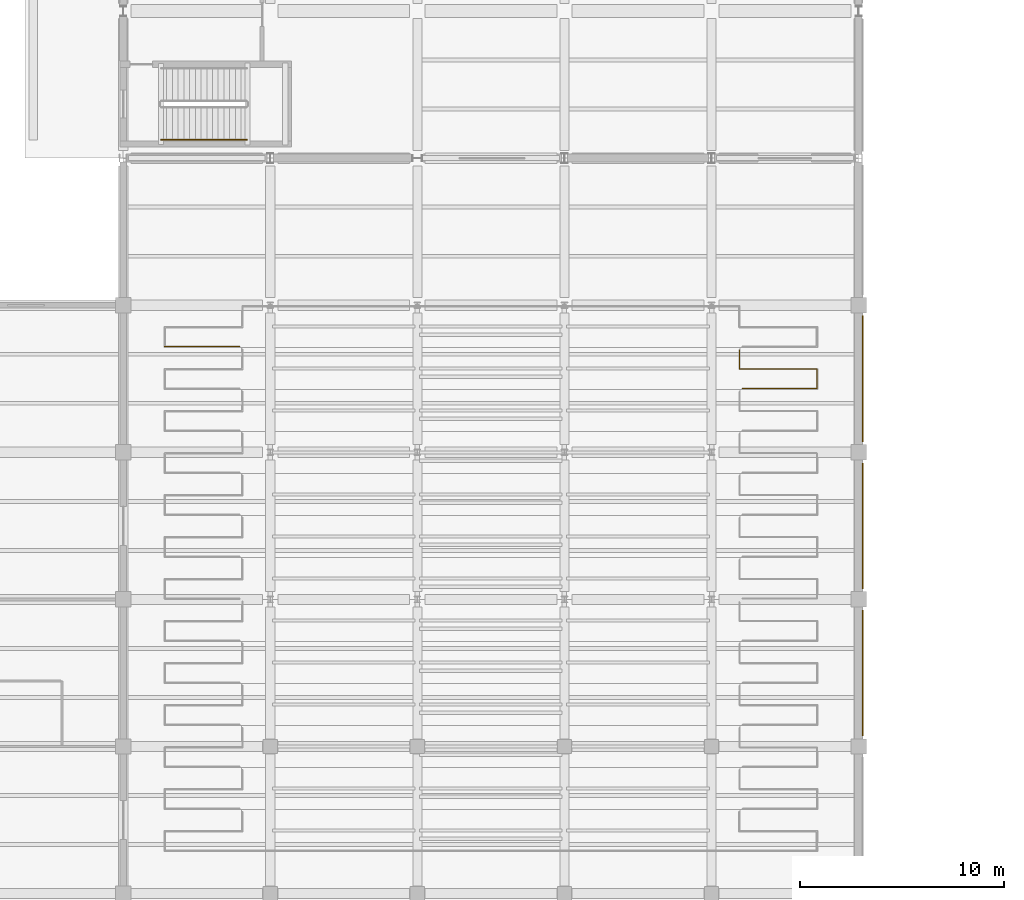
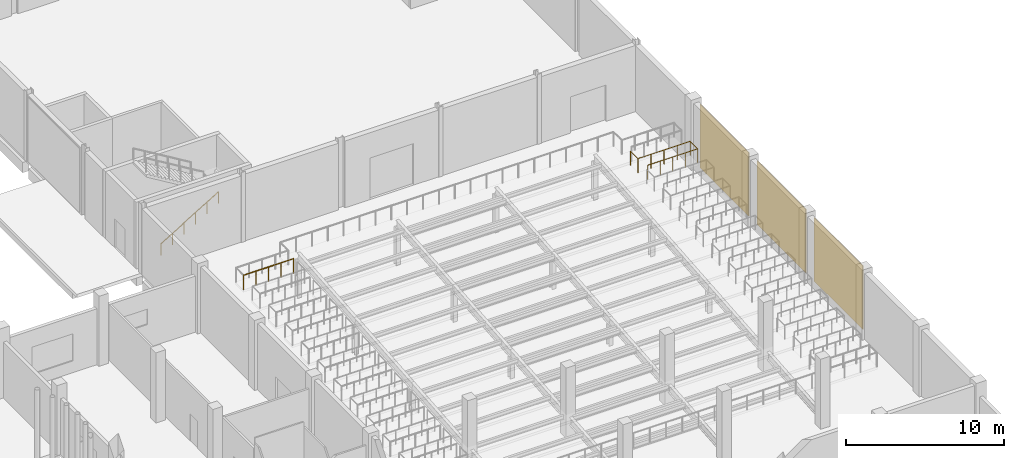
# One storey, part 40 of 46: 3 coverings, 3 railings.
"""IFC4 building model written with IfcOpenShell, lengths in metres."""

from ifc_helpers import new_model, si_unit, direction, frame, origin, origin_2d, place, context, subcontext, project, spatial, rectangle, circle, extrude, material, layer, layer_set, type_object, element, save


model = new_model("IFC4")

# Units and contexts
model_context = context("Model", 3, precision=1e-05, world=origin(), true_north=direction((0.0, 1.0)))
body_context = subcontext(model_context, "Body", "Model", "MODEL_VIEW")
ifc_project = project(units=[si_unit("LENGTHUNIT", "METRE"), si_unit("AREAUNIT", "SQUARE_METRE"), si_unit("VOLUMEUNIT", "CUBIC_METRE"), si_unit("PLANEANGLEUNIT", "RADIAN"), si_unit("MASSUNIT", "GRAM", prefix="KILO"), si_unit("THERMODYNAMICTEMPERATUREUNIT", "KELVIN"), si_unit("POWERUNIT", "WATT")], contexts=[model_context])

# Site, building, storey
site_placement = place(None, origin())
site = spatial("IfcSite", under=ifc_project, at=site_placement, CompositionType="ELEMENT")
building_placement = place(site_placement, origin())
building = spatial("IfcBuilding", under=site, at=building_placement, Name="Kaldorven Railside Theatre", CompositionType="ELEMENT")
storey_placement = place(building_placement, origin())
storey = spatial("IfcBuildingStorey", under=building, at=storey_placement, Name="L00", CompositionType="ELEMENT", Elevation=0.0)

# Coverings
ifc_material_1 = material(Name="Bush-hammered precast concrete C40/50", Category="concrete")
ifc_layer = layer(ifc_material_1, 0.050048828125, Name="Bush-hammered precast concrete C40/50")
ifc_layer_set = layer_set([ifc_layer], Name="Bush-hammered precast concrete C40/50")
covering_type = type_object("IfcCoveringType", Name="COV-CLD-01", PredefinedType="CLADDING", material=ifc_layer_set)
for number, where, z_axis, x_axis, name in (
    (1, (123.410888671875, 73.199951171875, 0.10009765625), (0.0, 0.0, 1.0), (0.0, -1.0, 0.0), "Bush-Hammered Laterite Rainscreen Panel CLD-002"),
    (2, (123.410888671875, 66.0, 0.10009765625), (0.0, 0.0, 1.0), (0.0, -1.0, 0.0), "Bush-Hammered Laterite Rainscreen Panel CLD-003"),
    (3, (123.410888671875, 58.800048828125, 0.10009765625), (0.0, 0.0, 1.0), (0.0, -1.0, 0.0), "Bush-Hammered Laterite Rainscreen Panel CLD-004"),
):
    element("IfcCovering", number, at=place(storey_placement, frame(where, z_axis=z_axis, x_axis=x_axis)), inside=storey, type_object=covering_type, Name=name, PredefinedType="CLADDING", context=body_context, shape_type="SweptSolid", body=[
        extrude(rectangle(XDim=6.14990234375, YDim=0.050048828125, at=origin_2d()), origin(), (0.0, 0.0, 1.0), 4.89990234375),
    ])

# Railings
ifc_material_2 = material(Name="Anodised bronze aluminium", Category="aluminium")
railing_type_1 = type_object("IfcRailingType", Name="RLG-BAL-1100", PredefinedType="BALUSTRADE", material=ifc_material_2)
railing_1_placement = place(storey_placement, frame((117.360107421875, 74.62109375, 3.409912109375)))
element("IfcRailing", 4, at=railing_1_placement, inside=storey, type_object=railing_type_1, Name="L00 Auditorium Tier Safety Guard GR-034", PredefinedType="BALUSTRADE", context=body_context, shape_type="SweptSolid", body=[
    extrude(circle(Radius=0.02392578125, at=origin_2d()), frame((0.0, 0.0, 1.09619140625), z_axis=(0.0, -1.0, 0.0), x_axis=(1.0, 0.0, 0.0)), (0.0, 0.0, 1.0), 0.947998046875),
    extrude(circle(Radius=0.02392578125, at=origin_2d()), frame((0.0, -0.947998046875, 1.09619140625), z_axis=(1.0, 0.0, 0.0), x_axis=(0.0, 1.0, 0.0)), (0.0, 0.0, 1.0), 3.7998046875),
    extrude(circle(Radius=0.02392578125, at=origin_2d()), frame((3.7998046875, -0.947998046875, 1.09619140625), z_axis=(0.0, -1.0, 0.0), x_axis=(1.0, 0.0, 0.0)), (0.0, 0.0, 1.0), 0.948974609375),
    extrude(circle(Radius=0.02392578125, at=origin_2d()), frame((3.7998046875, -1.89697265625, 1.09619140625), z_axis=(-1.0, 0.0, 0.0), x_axis=(0.0, -1.0, 0.0)), (0.0, 0.0, 1.0), 3.64697265625),
    extrude(circle(Radius=0.02099609375, at=origin_2d()), origin(), (0.0, 0.0, 1.0), 1.072021484375),
    extrude(circle(Radius=0.02099609375, at=origin_2d()), frame((0.0, -0.947998046875, 0.0)), (0.0, 0.0, 1.0), 1.072021484375),
    extrude(circle(Radius=0.02099609375, at=origin_2d()), frame((0.949951171875, -0.947998046875, 0.0)), (0.0, 0.0, 1.0), 1.072021484375),
    extrude(circle(Radius=0.02099609375, at=origin_2d()), frame((1.89990234375, -0.947998046875, 0.0)), (0.0, 0.0, 1.0), 1.072021484375),
    extrude(circle(Radius=0.02099609375, at=origin_2d()), frame((2.849853515625, -0.947998046875, 0.0)), (0.0, 0.0, 1.0), 1.072021484375),
    extrude(circle(Radius=0.02099609375, at=origin_2d()), frame((3.7998046875, -0.947998046875, 0.0)), (0.0, 0.0, 1.0), 1.072021484375),
    extrude(circle(Radius=0.02099609375, at=origin_2d()), frame((3.7998046875, -1.89697265625, 0.0)), (0.0, 0.0, 1.0), 1.072021484375),
    extrude(circle(Radius=0.02099609375, at=origin_2d()), frame((2.88818359375, -1.89697265625, 0.0)), (0.0, 0.0, 1.0), 1.072021484375),
    extrude(circle(Radius=0.02099609375, at=origin_2d()), frame((1.976318359375, -1.89697265625, 0.0)), (0.0, 0.0, 1.0), 1.072021484375),
    extrude(circle(Radius=0.02099609375, at=origin_2d()), frame((1.064453125, -1.89697265625, 0.0)), (0.0, 0.0, 1.0), 1.072021484375),
    extrude(circle(Radius=0.02099609375, at=origin_2d()), frame((0.15283203125, -1.89697265625, 0.0)), (0.0, 0.0, 1.0), 1.072021484375),
])
railing_2_placement = place(storey_placement, frame((92.886962890625, 74.781005859375, 3.590087890625)))
element("IfcRailing", 5, at=railing_2_placement, inside=storey, type_object=railing_type_1, Name="L00 Auditorium Tier Safety Guard GR-037", PredefinedType="BALUSTRADE", context=body_context, shape_type="SweptSolid", body=[
    extrude(circle(Radius=0.02392578125, at=origin_2d()), frame((0.0, 0.0, 1.09619140625), z_axis=(-1.0, 0.0, 0.0), x_axis=(0.0, -1.0, 0.0)), (0.0, 0.0, 1.0), 3.64697265625),
    extrude(circle(Radius=0.02099609375, at=origin_2d()), origin(), (0.0, 0.0, 1.0), 1.072021484375),
    extrude(circle(Radius=0.02099609375, at=origin_2d()), frame((-0.91162109375, 0.0, 0.0)), (0.0, 0.0, 1.0), 1.072021484375),
    extrude(circle(Radius=0.02099609375, at=origin_2d()), frame((-1.823486328125, 0.0, 0.0)), (0.0, 0.0, 1.0), 1.072021484375),
    extrude(circle(Radius=0.02099609375, at=origin_2d()), frame((-2.7353515625, 0.0, 0.0)), (0.0, 0.0, 1.0), 1.072021484375),
    extrude(circle(Radius=0.02099609375, at=origin_2d()), frame((-3.64697265625, 0.0, 0.0)), (0.0, 0.0, 1.0), 1.072021484375),
])
ifc_material_3 = material(Name="Steel S355", Category="steel")
railing_type_2 = type_object("IfcRailingType", Name="RLG-STH-900", PredefinedType="HANDRAIL", material=ifc_material_3)
railing_3_placement = place(storey_placement, frame((89.050048828125, 84.89990234375, 0.168701171875)))
element("IfcRailing", 6, at=railing_3_placement, inside=storey, type_object=railing_type_2, Name="L00 ST-05 stair handrail 1", PredefinedType="HANDRAIL", context=body_context, shape_type="SweptSolid", body=[
    extrude(circle(Radius=0.02392578125, at=origin_2d()), frame((0.0, 0.0, 0.8759765625), z_axis=(0.856476492594, 0.0, 0.516186030065), x_axis=(0.0, 1.0, 0.0)), (0.0, 0.0, 1.0), 4.90380859375),
    extrude(circle(Radius=0.02099609375, at=origin_2d()), origin(), (0.0, 0.0, 1.0), 0.851806640625),
    extrude(circle(Radius=0.02099609375, at=origin_2d()), frame((0.840087890625, 0.0, 0.50634765625)), (0.0, 0.0, 1.0), 0.851806640625),
    extrude(circle(Radius=0.02099609375, at=origin_2d()), frame((1.679931640625, 0.0, 1.012451171875)), (0.0, 0.0, 1.0), 0.851806640625),
    extrude(circle(Radius=0.02099609375, at=origin_2d()), frame((2.52001953125, 0.0, 1.518798828125)), (0.0, 0.0, 1.0), 0.851806640625),
    extrude(circle(Radius=0.02099609375, at=origin_2d()), frame((3.35986328125, 0.0, 2.02490234375)), (0.0, 0.0, 1.0), 0.851806640625),
    extrude(circle(Radius=0.02099609375, at=origin_2d()), frame((4.199951171875, 0.0, 2.53125)), (0.0, 0.0, 1.0), 0.851806640625),
])

save(model, "model.ifc")
